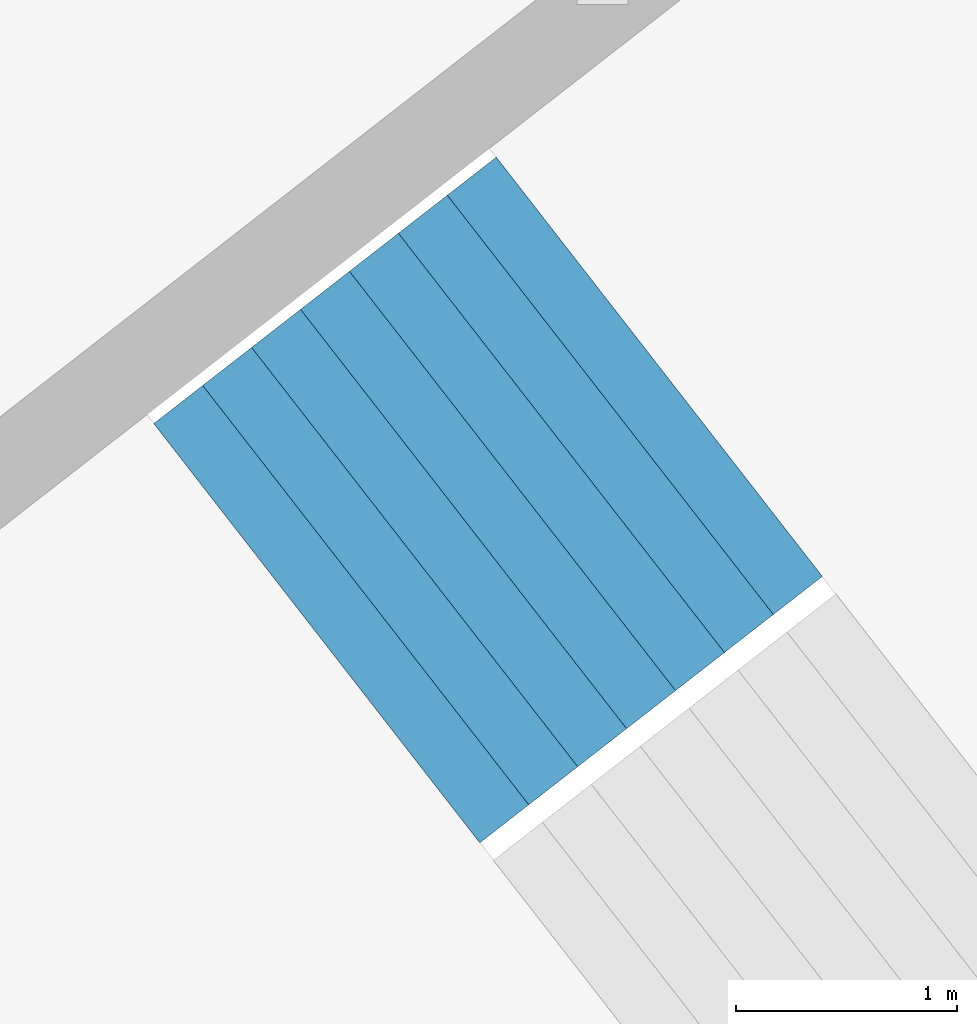
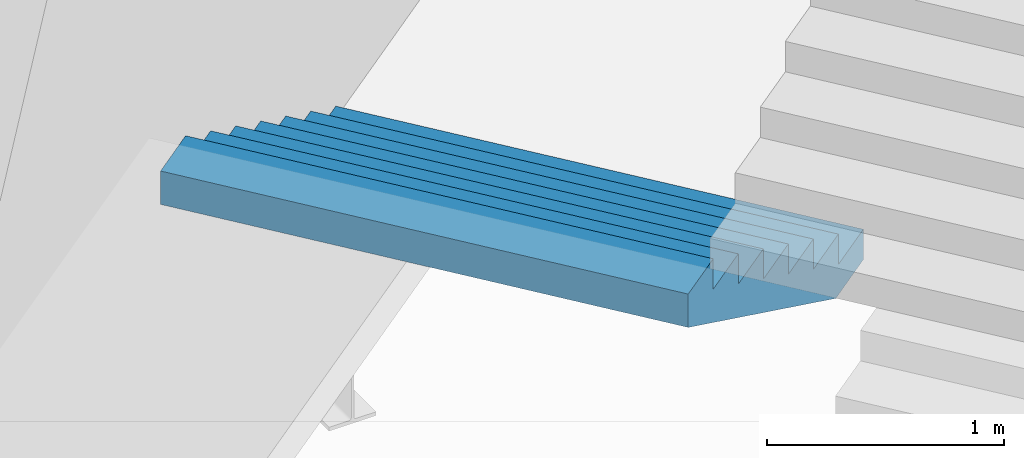
# One storey, part 63 of 73: 1 stair flight, 1 element without a shape of its own.
"""IFC4 building model written with IfcOpenShell, lengths in metres."""

from ifc_helpers import new_model, si_unit, direction, frame, origin, place, context, subcontext, project, spatial, triangles, material, type_object, element, aggregate, save


model = new_model("IFC4")

# Units and contexts
model_context = context("Model", 3, precision=1e-05, world=origin(), true_north=direction((0.0, 1.0)))
body_context = subcontext(model_context, "Body", "Model", "MODEL_VIEW")
ifc_project = project(units=[si_unit("LENGTHUNIT", "METRE"), si_unit("AREAUNIT", "SQUARE_METRE"), si_unit("VOLUMEUNIT", "CUBIC_METRE"), si_unit("PLANEANGLEUNIT", "RADIAN"), si_unit("MASSUNIT", "GRAM", prefix="KILO")], contexts=[model_context])

# Site, building, storey
site_placement = place(None, origin())
site = spatial("IfcSite", under=ifc_project, at=site_placement, CompositionType="ELEMENT")
building_placement = place(site_placement, origin())
building = spatial("IfcBuilding", under=site, at=building_placement, Name="Lantaw Convention Tower", CompositionType="ELEMENT")
storey_placement = place(building_placement, frame((0.0, 0.0, 22.0)))
storey = spatial("IfcBuildingStorey", under=building, at=storey_placement, Name="L03", CompositionType="ELEMENT", Elevation=22.0)

# Stair, stair flight
ifc_material = material(Name="Concrete C35/45", Category="concrete")
stair_type = type_object("IfcStairType", Name="Exit stair 2400 riser 156.25 in 4 flights", PredefinedType="HALF_TURN_STAIR", material=ifc_material)
stair_placement = place(storey_placement, origin())
stair = element("IfcStair", 1, at=stair_placement, inside=storey, type_object=stair_type, Name="Podium exit stair P3 L03", PredefinedType="HALF_TURN_STAIR")
stair_flight_type = type_object("IfcStairFlightType", Name="Stair flight 2400 riser 156.25", PredefinedType="STRAIGHT", material=ifc_material)
stair_flight_placement = place(storey_placement, frame((29.5068359375, 24.53125, 1.25), z_axis=(0.0, 0.0, 1.0), x_axis=(-0.789378829664, -0.613906396186, 0.0)))
stair_flight = element("IfcStairFlight", 2, at=stair_flight_placement, type_object=stair_flight_type, Name="P3 flight 2", NumberOfRisers=8, NumberOfTreads=7, PredefinedType="STRAIGHT", RiserHeight=0.15625, TreadLength=0.28, context=body_context, shape_type="Tessellation", body=[
    triangles([(0.0, 1.199951171875, 0.0), (0.0, 1.199951171875, 0.15625), (0.28, 1.199951171875, 0.0), (0.28, 1.199951171875, 0.15625), (0.28, 1.199951171875, 0.3125), (0.3076200632058044, 1.199951171875, 0.0), (0.3076200632058044, 1.199951171875, 0.3125), (0.56, 1.199951171875, 0.14083701830033238), (0.56, 1.199951171875, 0.3125), (0.56, 1.199951171875, 0.46875), (0.8400000000000001, 1.199951171875, 0.29708701830033235), (0.8400000000000001, 1.199951171875, 0.46875), (0.8400000000000001, 1.199951171875, 0.625), (1.12, 1.199951171875, 0.45333701830033235), (1.12, 1.199951171875, 0.625), (1.12, 1.199951171875, 0.78125), (1.4000000000000001, 1.199951171875, 0.6095870183003324), (1.4000000000000001, 1.199951171875, 0.78125), (1.4000000000000001, 1.199951171875, 0.9375), (1.6800000000000002, 1.199951171875, 0.7658370183003324), (1.6800000000000002, 1.199951171875, 0.9375), (1.6800000000000002, 1.199951171875, 1.09375), (1.9600000000000002, 1.199951171875, 0.9220870183003324), (1.9600000000000002, 1.199951171875, 1.09375), (0.0, -1.199951171875, 0.0), (0.0, -1.199951171875, 0.15625), (0.28, -1.199951171875, 0.0), (0.28, -1.199951171875, 0.15625), (0.28, -1.199951171875, 0.3125), (0.3076200632058044, -1.199951171875, 0.0), (0.3076200632058044, -1.199951171875, 0.3125), (0.56, -1.199951171875, 0.14083701830033238), (0.56, -1.199951171875, 0.3125), (0.56, -1.199951171875, 0.46875), (0.8400000000000001, -1.199951171875, 0.29708701830033235), (0.8400000000000001, -1.199951171875, 0.46875), (0.8400000000000001, -1.199951171875, 0.625), (1.12, -1.199951171875, 0.45333701830033235), (1.12, -1.199951171875, 0.625), (1.12, -1.199951171875, 0.78125), (1.4000000000000001, -1.199951171875, 0.6095870183003324), (1.4000000000000001, -1.199951171875, 0.78125), (1.4000000000000001, -1.199951171875, 0.9375), (1.6800000000000002, -1.199951171875, 0.7658370183003324), (1.6800000000000002, -1.199951171875, 0.9375), (1.6800000000000002, -1.199951171875, 1.09375), (1.9600000000000002, -1.199951171875, 0.9220870183003324), (1.9600000000000002, -1.199951171875, 1.09375), (0.0, 0.239990234375, 0.15625), (0.0, 0.239990234375, 0.0), (0.0, 0.1919921875, 0.15625), (0.0, 0.1919921875, 0.0), (0.0, 0.143994140625, 0.15625), (0.0, 0.143994140625, 0.0), (0.0, 0.09599609375, 0.15625), (0.0, 0.09599609375, 0.0), (0.0, 0.047998046875, 0.15625), (0.0, 0.047998046875, 0.0), (0.0, 0.0, 0.15625), (0.0, 0.0, 0.0), (0.0, -0.047998046875, 0.15625), (0.0, -0.047998046875, 0.0), (0.0, -0.09599609375, 0.15625), (0.0, -0.09599609375, 0.0), (0.0, -0.143994140625, 0.15625), (0.0, -0.143994140625, 0.0), (0.0, -0.1919921875, 0.15625), (0.0, -0.1919921875, 0.0), (0.0, -0.239990234375, 0.15625), (0.0, -0.239990234375, 0.0), (0.28, 0.239990234375, 0.3125), (0.28, 0.239990234375, 0.15625), (0.28, 0.1919921875, 0.3125), (0.28, 0.1919921875, 0.15625), (0.28, 0.143994140625, 0.3125), (0.28, 0.143994140625, 0.15625), (0.28, 0.09599609375, 0.3125), (0.28, 0.09599609375, 0.15625), (0.28, 0.047998046875, 0.3125), (0.28, 0.047998046875, 0.15625), (0.28, 0.0, 0.3125), (0.28, 0.0, 0.15625), (0.28, -0.047998046875, 0.3125), (0.28, -0.047998046875, 0.15625), (0.28, -0.09599609375, 0.3125), (0.28, -0.09599609375, 0.15625), (0.28, -0.143994140625, 0.3125), (0.28, -0.143994140625, 0.15625), (0.28, -0.1919921875, 0.3125), (0.28, -0.1919921875, 0.15625), (0.28, -0.239990234375, 0.3125), (0.28, -0.239990234375, 0.15625), (0.56, 0.239990234375, 0.46875), (0.56, 0.239990234375, 0.3125), (0.56, 0.1919921875, 0.46875), (0.56, 0.1919921875, 0.3125), (0.56, 0.143994140625, 0.46875), (0.56, 0.143994140625, 0.3125), (0.56, 0.09599609375, 0.46875), (0.56, 0.09599609375, 0.3125), (0.56, 0.047998046875, 0.46875), (0.56, 0.047998046875, 0.3125), (0.56, 0.0, 0.46875), (0.56, 0.0, 0.3125), (0.56, -0.047998046875, 0.46875), (0.56, -0.047998046875, 0.3125), (0.56, -0.09599609375, 0.46875), (0.56, -0.09599609375, 0.3125), (0.56, -0.143994140625, 0.46875), (0.56, -0.143994140625, 0.3125), (0.56, -0.1919921875, 0.46875), (0.56, -0.1919921875, 0.3125), (0.56, -0.239990234375, 0.46875), (0.56, -0.239990234375, 0.3125), (0.8400000000000001, 0.239990234375, 0.625), (0.8400000000000001, 0.239990234375, 0.46875), (0.8400000000000001, 0.1919921875, 0.625), (0.8400000000000001, 0.1919921875, 0.46875), (0.8400000000000001, 0.143994140625, 0.625), (0.8400000000000001, 0.143994140625, 0.46875), (0.8400000000000001, 0.09599609375, 0.625), (0.8400000000000001, 0.09599609375, 0.46875), (0.8400000000000001, 0.047998046875, 0.625), (0.8400000000000001, 0.047998046875, 0.46875), (0.8400000000000001, 0.0, 0.625), (0.8400000000000001, 0.0, 0.46875), (0.8400000000000001, -0.047998046875, 0.625), (0.8400000000000001, -0.047998046875, 0.46875), (0.8400000000000001, -0.09599609375, 0.625), (0.8400000000000001, -0.09599609375, 0.46875), (0.8400000000000001, -0.143994140625, 0.625), (0.8400000000000001, -0.143994140625, 0.46875), (0.8400000000000001, -0.1919921875, 0.625), (0.8400000000000001, -0.1919921875, 0.46875), (0.8400000000000001, -0.239990234375, 0.625), (0.8400000000000001, -0.239990234375, 0.46875), (1.12, 0.239990234375, 0.78125), (1.12, 0.239990234375, 0.625), (1.12, 0.1919921875, 0.78125), (1.12, 0.1919921875, 0.625), (1.12, 0.143994140625, 0.78125), (1.12, 0.143994140625, 0.625), (1.12, 0.09599609375, 0.78125), (1.12, 0.09599609375, 0.625), (1.12, 0.047998046875, 0.78125), (1.12, 0.047998046875, 0.625), (1.12, 0.0, 0.78125), (1.12, 0.0, 0.625), (1.12, -0.047998046875, 0.78125), (1.12, -0.047998046875, 0.625), (1.12, -0.09599609375, 0.78125), (1.12, -0.09599609375, 0.625), (1.12, -0.143994140625, 0.78125), (1.12, -0.143994140625, 0.625), (1.12, -0.1919921875, 0.78125), (1.12, -0.1919921875, 0.625), (1.12, -0.239990234375, 0.78125), (1.12, -0.239990234375, 0.625), (1.4000000000000001, 0.239990234375, 0.9375), (1.4000000000000001, 0.239990234375, 0.78125), (1.4000000000000001, 0.1919921875, 0.9375), (1.4000000000000001, 0.1919921875, 0.78125), (1.4000000000000001, 0.143994140625, 0.9375), (1.4000000000000001, 0.143994140625, 0.78125), (1.4000000000000001, 0.09599609375, 0.9375), (1.4000000000000001, 0.09599609375, 0.78125), (1.4000000000000001, 0.047998046875, 0.9375), (1.4000000000000001, 0.047998046875, 0.78125), (1.4000000000000001, 0.0, 0.9375), (1.4000000000000001, 0.0, 0.78125), (1.4000000000000001, -0.047998046875, 0.9375), (1.4000000000000001, -0.047998046875, 0.78125), (1.4000000000000001, -0.09599609375, 0.9375), (1.4000000000000001, -0.09599609375, 0.78125), (1.4000000000000001, -0.143994140625, 0.9375), (1.4000000000000001, -0.143994140625, 0.78125), (1.4000000000000001, -0.1919921875, 0.9375), (1.4000000000000001, -0.1919921875, 0.78125), (1.4000000000000001, -0.239990234375, 0.9375), (1.4000000000000001, -0.239990234375, 0.78125), (1.6800000000000002, 0.239990234375, 1.09375), (1.6800000000000002, 0.239990234375, 0.9375), (1.6800000000000002, 0.1919921875, 1.09375), (1.6800000000000002, 0.1919921875, 0.9375), (1.6800000000000002, 0.143994140625, 1.09375), (1.6800000000000002, 0.143994140625, 0.9375), (1.6800000000000002, 0.09599609375, 1.09375), (1.6800000000000002, 0.09599609375, 0.9375), (1.6800000000000002, 0.047998046875, 1.09375), (1.6800000000000002, 0.047998046875, 0.9375), (1.6800000000000002, 0.0, 1.09375), (1.6800000000000002, 0.0, 0.9375), (1.6800000000000002, -0.047998046875, 1.09375), (1.6800000000000002, -0.047998046875, 0.9375), (1.6800000000000002, -0.09599609375, 1.09375), (1.6800000000000002, -0.09599609375, 0.9375), (1.6800000000000002, -0.143994140625, 1.09375), (1.6800000000000002, -0.143994140625, 0.9375), (1.6800000000000002, -0.1919921875, 1.09375), (1.6800000000000002, -0.1919921875, 0.9375), (1.6800000000000002, -0.239990234375, 1.09375), (1.6800000000000002, -0.239990234375, 0.9375), (0.3076200632058044, 0.239990234375, 0.3125), (0.3076200632058044, 0.1919921875, 0.3125), (0.3076200632058044, 0.143994140625, 0.3125), (0.3076200632058044, 0.09599609375, 0.3125), (0.3076200632058044, 0.047998046875, 0.3125), (0.3076200632058044, 0.0, 0.3125), (0.3076200632058044, -0.047998046875, 0.3125), (0.3076200632058044, -0.09599609375, 0.3125), (0.3076200632058044, -0.143994140625, 0.3125), (0.3076200632058044, -0.1919921875, 0.3125), (0.3076200632058044, -0.239990234375, 0.3125), (1.9600000000000002, 0.239990234375, 1.09375), (1.9600000000000002, 0.1919921875, 1.09375), (1.9600000000000002, 0.143994140625, 1.09375), (1.9600000000000002, 0.09599609375, 1.09375), (1.9600000000000002, 0.047998046875, 1.09375), (1.9600000000000002, 0.0, 1.09375), (1.9600000000000002, -0.047998046875, 1.09375), (1.9600000000000002, -0.09599609375, 1.09375), (1.9600000000000002, -0.143994140625, 1.09375), (1.9600000000000002, -0.1919921875, 1.09375), (1.9600000000000002, -0.239990234375, 1.09375), (1.9600000000000002, 0.239990234375, 0.9220870183003324), (1.9600000000000002, 0.1919921875, 0.9220870183003324), (1.9600000000000002, 0.143994140625, 0.9220870183003324), (1.9600000000000002, 0.09599609375, 0.9220870183003324), (1.9600000000000002, 0.047998046875, 0.9220870183003324), (1.9600000000000002, 0.0, 0.9220870183003324), (1.9600000000000002, -0.047998046875, 0.9220870183003324), (1.9600000000000002, -0.09599609375, 0.9220870183003324), (1.9600000000000002, -0.143994140625, 0.9220870183003324), (1.9600000000000002, -0.1919921875, 0.9220870183003324), (1.9600000000000002, -0.239990234375, 0.9220870183003324), (1.6800000000000002, 0.239990234375, 0.7658370183003324), (1.6800000000000002, 0.1919921875, 0.7658370183003324), (1.6800000000000002, 0.143994140625, 0.7658370183003324), (1.6800000000000002, 0.09599609375, 0.7658370183003324), (1.6800000000000002, 0.047998046875, 0.7658370183003324), (1.6800000000000002, 0.0, 0.7658370183003324), (1.6800000000000002, -0.047998046875, 0.7658370183003324), (1.6800000000000002, -0.09599609375, 0.7658370183003324), (1.6800000000000002, -0.143994140625, 0.7658370183003324), (1.6800000000000002, -0.1919921875, 0.7658370183003324), (1.6800000000000002, -0.239990234375, 0.7658370183003324), (1.4000000000000001, 0.239990234375, 0.6095870183003324), (1.4000000000000001, 0.1919921875, 0.6095870183003324), (1.4000000000000001, 0.143994140625, 0.6095870183003324), (1.4000000000000001, 0.09599609375, 0.6095870183003324), (1.4000000000000001, 0.047998046875, 0.6095870183003324), (1.4000000000000001, 0.0, 0.6095870183003324), (1.4000000000000001, -0.047998046875, 0.6095870183003324), (1.4000000000000001, -0.09599609375, 0.6095870183003324), (1.4000000000000001, -0.143994140625, 0.6095870183003324), (1.4000000000000001, -0.1919921875, 0.6095870183003324), (1.4000000000000001, -0.239990234375, 0.6095870183003324), (1.12, 0.239990234375, 0.45333701830033235), (1.12, 0.1919921875, 0.45333701830033235), (1.12, 0.143994140625, 0.45333701830033235), (1.12, 0.09599609375, 0.45333701830033235), (1.12, 0.047998046875, 0.45333701830033235), (1.12, 0.0, 0.45333701830033235), (1.12, -0.047998046875, 0.45333701830033235), (1.12, -0.09599609375, 0.45333701830033235), (1.12, -0.143994140625, 0.45333701830033235), (1.12, -0.1919921875, 0.45333701830033235), (1.12, -0.239990234375, 0.45333701830033235), (0.8400000000000001, 0.239990234375, 0.29708701830033235), (0.8400000000000001, 0.1919921875, 0.29708701830033235), (0.8400000000000001, 0.143994140625, 0.29708701830033235), (0.8400000000000001, 0.09599609375, 0.29708701830033235), (0.8400000000000001, 0.047998046875, 0.29708701830033235), (0.8400000000000001, 0.0, 0.29708701830033235), (0.8400000000000001, -0.047998046875, 0.29708701830033235), (0.8400000000000001, -0.09599609375, 0.29708701830033235), (0.8400000000000001, -0.143994140625, 0.29708701830033235), (0.8400000000000001, -0.1919921875, 0.29708701830033235), (0.8400000000000001, -0.239990234375, 0.29708701830033235), (0.56, 0.239990234375, 0.14083701830033238), (0.56, 0.1919921875, 0.14083701830033238), (0.56, 0.143994140625, 0.14083701830033238), (0.56, 0.09599609375, 0.14083701830033238), (0.56, 0.047998046875, 0.14083701830033238), (0.56, 0.0, 0.14083701830033238), (0.56, -0.047998046875, 0.14083701830033238), (0.56, -0.09599609375, 0.14083701830033238), (0.56, -0.143994140625, 0.14083701830033238), (0.56, -0.1919921875, 0.14083701830033238), (0.56, -0.239990234375, 0.14083701830033238), (0.3076200632058044, 0.239990234375, 0.0), (0.3076200632058044, 0.1919921875, 0.0), (0.3076200632058044, 0.143994140625, 0.0), (0.3076200632058044, 0.09599609375, 0.0), (0.3076200632058044, 0.047998046875, 0.0), (0.3076200632058044, 0.0, 0.0), (0.3076200632058044, -0.047998046875, 0.0), (0.3076200632058044, -0.09599609375, 0.0), (0.3076200632058044, -0.143994140625, 0.0), (0.3076200632058044, -0.1919921875, 0.0), (0.3076200632058044, -0.239990234375, 0.0), (0.28, 0.239990234375, 0.0), (0.28, 0.1919921875, 0.0), (0.28, 0.143994140625, 0.0), (0.28, 0.09599609375, 0.0), (0.28, 0.047998046875, 0.0), (0.28, 0.0, 0.0), (0.28, -0.047998046875, 0.0), (0.28, -0.09599609375, 0.0), (0.28, -0.143994140625, 0.0), (0.28, -0.1919921875, 0.0), (0.28, -0.239990234375, 0.0)], [[1, 4, 3], [1, 2, 4], [3, 4, 6], [4, 7, 6], [4, 5, 7], [6, 9, 8], [6, 7, 9], [8, 9, 11], [9, 12, 11], [9, 10, 12], [11, 12, 14], [12, 15, 14], [12, 13, 15], [14, 15, 17], [15, 18, 17], [15, 16, 18], [17, 18, 20], [18, 21, 20], [18, 19, 21], [20, 21, 23], [21, 24, 23], [21, 22, 24], [25, 27, 28], [25, 28, 26], [27, 30, 28], [28, 30, 31], [28, 31, 29], [30, 32, 33], [30, 33, 31], [32, 35, 33], [33, 35, 36], [33, 36, 34], [35, 38, 36], [36, 38, 39], [36, 39, 37], [38, 41, 39], [39, 41, 42], [39, 42, 40], [41, 44, 42], [42, 44, 45], [42, 45, 43], [44, 47, 45], [45, 47, 48], [45, 48, 46], [1, 49, 2], [1, 50, 49], [50, 51, 49], [50, 52, 51], [52, 53, 51], [52, 54, 53], [54, 55, 53], [54, 56, 55], [56, 57, 55], [56, 58, 57], [58, 59, 57], [58, 60, 59], [60, 61, 59], [60, 62, 61], [62, 63, 61], [62, 64, 63], [64, 65, 63], [64, 66, 65], [66, 67, 65], [66, 68, 67], [68, 69, 67], [68, 70, 69], [70, 26, 69], [70, 25, 26], [4, 71, 5], [4, 72, 71], [72, 73, 71], [72, 74, 73], [74, 75, 73], [74, 76, 75], [76, 77, 75], [76, 78, 77], [78, 79, 77], [78, 80, 79], [80, 81, 79], [80, 82, 81], [82, 83, 81], [82, 84, 83], [84, 85, 83], [84, 86, 85], [86, 87, 85], [86, 88, 87], [88, 89, 87], [88, 90, 89], [90, 91, 89], [90, 92, 91], [92, 29, 91], [92, 28, 29], [9, 93, 10], [9, 94, 93], [94, 95, 93], [94, 96, 95], [96, 97, 95], [96, 98, 97], [98, 99, 97], [98, 100, 99], [100, 101, 99], [100, 102, 101], [102, 103, 101], [102, 104, 103], [104, 105, 103], [104, 106, 105], [106, 107, 105], [106, 108, 107], [108, 109, 107], [108, 110, 109], [110, 111, 109], [110, 112, 111], [112, 113, 111], [112, 114, 113], [114, 34, 113], [114, 33, 34], [12, 115, 13], [12, 116, 115], [116, 117, 115], [116, 118, 117], [118, 119, 117], [118, 120, 119], [120, 121, 119], [120, 122, 121], [122, 123, 121], [122, 124, 123], [124, 125, 123], [124, 126, 125], [126, 127, 125], [126, 128, 127], [128, 129, 127], [128, 130, 129], [130, 131, 129], [130, 132, 131], [132, 133, 131], [132, 134, 133], [134, 135, 133], [134, 136, 135], [136, 37, 135], [136, 36, 37], [15, 137, 16], [15, 138, 137], [138, 139, 137], [138, 140, 139], [140, 141, 139], [140, 142, 141], [142, 143, 141], [142, 144, 143], [144, 145, 143], [144, 146, 145], [146, 147, 145], [146, 148, 147], [148, 149, 147], [148, 150, 149], [150, 151, 149], [150, 152, 151], [152, 153, 151], [152, 154, 153], [154, 155, 153], [154, 156, 155], [156, 157, 155], [156, 158, 157], [158, 40, 157], [158, 39, 40], [18, 159, 19], [18, 160, 159], [160, 161, 159], [160, 162, 161], [162, 163, 161], [162, 164, 163], [164, 165, 163], [164, 166, 165], [166, 167, 165], [166, 168, 167], [168, 169, 167], [168, 170, 169], [170, 171, 169], [170, 172, 171], [172, 173, 171], [172, 174, 173], [174, 175, 173], [174, 176, 175], [176, 177, 175], [176, 178, 177], [178, 179, 177], [178, 180, 179], [180, 43, 179], [180, 42, 43], [21, 181, 22], [21, 182, 181], [182, 183, 181], [182, 184, 183], [184, 185, 183], [184, 186, 185], [186, 187, 185], [186, 188, 187], [188, 189, 187], [188, 190, 189], [190, 191, 189], [190, 192, 191], [192, 193, 191], [192, 194, 193], [194, 195, 193], [194, 196, 195], [196, 197, 195], [196, 198, 197], [198, 199, 197], [198, 200, 199], [200, 201, 199], [200, 202, 201], [202, 46, 201], [202, 45, 46], [2, 72, 4], [2, 49, 72], [49, 74, 72], [49, 51, 74], [51, 76, 74], [51, 53, 76], [53, 78, 76], [53, 55, 78], [55, 80, 78], [55, 57, 80], [57, 82, 80], [57, 59, 82], [59, 84, 82], [59, 61, 84], [61, 86, 84], [61, 63, 86], [63, 88, 86], [63, 65, 88], [65, 90, 88], [65, 67, 90], [67, 92, 90], [67, 69, 92], [69, 28, 92], [69, 26, 28], [5, 203, 7], [5, 71, 203], [71, 204, 203], [71, 73, 204], [73, 205, 204], [73, 75, 205], [75, 206, 205], [75, 77, 206], [77, 207, 206], [77, 79, 207], [79, 208, 207], [79, 81, 208], [81, 209, 208], [81, 83, 209], [83, 210, 209], [83, 85, 210], [85, 211, 210], [85, 87, 211], [87, 212, 211], [87, 89, 212], [89, 213, 212], [89, 91, 213], [91, 31, 213], [91, 29, 31], [7, 94, 9], [7, 203, 94], [203, 96, 94], [203, 204, 96], [204, 98, 96], [204, 205, 98], [205, 100, 98], [205, 206, 100], [206, 102, 100], [206, 207, 102], [207, 104, 102], [207, 208, 104], [208, 106, 104], [208, 209, 106], [209, 108, 106], [209, 210, 108], [210, 110, 108], [210, 211, 110], [211, 112, 110], [211, 212, 112], [212, 114, 112], [212, 213, 114], [213, 33, 114], [213, 31, 33], [10, 116, 12], [10, 93, 116], [93, 118, 116], [93, 95, 118], [95, 120, 118], [95, 97, 120], [97, 122, 120], [97, 99, 122], [99, 124, 122], [99, 101, 124], [101, 126, 124], [101, 103, 126], [103, 128, 126], [103, 105, 128], [105, 130, 128], [105, 107, 130], [107, 132, 130], [107, 109, 132], [109, 134, 132], [109, 111, 134], [111, 136, 134], [111, 113, 136], [113, 36, 136], [113, 34, 36], [13, 138, 15], [13, 115, 138], [115, 140, 138], [115, 117, 140], [117, 142, 140], [117, 119, 142], [119, 144, 142], [119, 121, 144], [121, 146, 144], [121, 123, 146], [123, 148, 146], [123, 125, 148], [125, 150, 148], [125, 127, 150], [127, 152, 150], [127, 129, 152], [129, 154, 152], [129, 131, 154], [131, 156, 154], [131, 133, 156], [133, 158, 156], [133, 135, 158], [135, 39, 158], [135, 37, 39], [16, 160, 18], [16, 137, 160], [137, 162, 160], [137, 139, 162], [139, 164, 162], [139, 141, 164], [141, 166, 164], [141, 143, 166], [143, 168, 166], [143, 145, 168], [145, 170, 168], [145, 147, 170], [147, 172, 170], [147, 149, 172], [149, 174, 172], [149, 151, 174], [151, 176, 174], [151, 153, 176], [153, 178, 176], [153, 155, 178], [155, 180, 178], [155, 157, 180], [157, 42, 180], [157, 40, 42], [19, 182, 21], [19, 159, 182], [159, 184, 182], [159, 161, 184], [161, 186, 184], [161, 163, 186], [163, 188, 186], [163, 165, 188], [165, 190, 188], [165, 167, 190], [167, 192, 190], [167, 169, 192], [169, 194, 192], [169, 171, 194], [171, 196, 194], [171, 173, 196], [173, 198, 196], [173, 175, 198], [175, 200, 198], [175, 177, 200], [177, 202, 200], [177, 179, 202], [179, 45, 202], [179, 43, 45], [22, 214, 24], [22, 181, 214], [181, 215, 214], [181, 183, 215], [183, 216, 215], [183, 185, 216], [185, 217, 216], [185, 187, 217], [187, 218, 217], [187, 189, 218], [189, 219, 218], [189, 191, 219], [191, 220, 219], [191, 193, 220], [193, 221, 220], [193, 195, 221], [195, 222, 221], [195, 197, 222], [197, 223, 222], [197, 199, 223], [199, 224, 223], [199, 201, 224], [201, 48, 224], [201, 46, 48], [24, 225, 23], [24, 214, 225], [214, 226, 225], [214, 215, 226], [215, 227, 226], [215, 216, 227], [216, 228, 227], [216, 217, 228], [217, 229, 228], [217, 218, 229], [218, 230, 229], [218, 219, 230], [219, 231, 230], [219, 220, 231], [220, 232, 231], [220, 221, 232], [221, 233, 232], [221, 222, 233], [222, 234, 233], [222, 223, 234], [223, 235, 234], [223, 224, 235], [224, 47, 235], [224, 48, 47], [23, 236, 20], [23, 225, 236], [225, 237, 236], [225, 226, 237], [226, 238, 237], [226, 227, 238], [227, 239, 238], [227, 228, 239], [228, 240, 239], [228, 229, 240], [229, 241, 240], [229, 230, 241], [230, 242, 241], [230, 231, 242], [231, 243, 242], [231, 232, 243], [232, 244, 243], [232, 233, 244], [233, 245, 244], [233, 234, 245], [234, 246, 245], [234, 235, 246], [235, 44, 246], [235, 47, 44], [20, 247, 17], [20, 236, 247], [236, 248, 247], [236, 237, 248], [237, 249, 248], [237, 238, 249], [238, 250, 249], [238, 239, 250], [239, 251, 250], [239, 240, 251], [240, 252, 251], [240, 241, 252], [241, 253, 252], [241, 242, 253], [242, 254, 253], [242, 243, 254], [243, 255, 254], [243, 244, 255], [244, 256, 255], [244, 245, 256], [245, 257, 256], [245, 246, 257], [246, 41, 257], [246, 44, 41], [17, 258, 14], [17, 247, 258], [247, 259, 258], [247, 248, 259], [248, 260, 259], [248, 249, 260], [249, 261, 260], [249, 250, 261], [250, 262, 261], [250, 251, 262], [251, 263, 262], [251, 252, 263], [252, 264, 263], [252, 253, 264], [253, 265, 264], [253, 254, 265], [254, 266, 265], [254, 255, 266], [255, 267, 266], [255, 256, 267], [256, 268, 267], [256, 257, 268], [257, 38, 268], [257, 41, 38], [14, 269, 11], [14, 258, 269], [258, 270, 269], [258, 259, 270], [259, 271, 270], [259, 260, 271], [260, 272, 271], [260, 261, 272], [261, 273, 272], [261, 262, 273], [262, 274, 273], [262, 263, 274], [263, 275, 274], [263, 264, 275], [264, 276, 275], [264, 265, 276], [265, 277, 276], [265, 266, 277], [266, 278, 277], [266, 267, 278], [267, 279, 278], [267, 268, 279], [268, 35, 279], [268, 38, 35], [11, 280, 8], [11, 269, 280], [269, 281, 280], [269, 270, 281], [270, 282, 281], [270, 271, 282], [271, 283, 282], [271, 272, 283], [272, 284, 283], [272, 273, 284], [273, 285, 284], [273, 274, 285], [274, 286, 285], [274, 275, 286], [275, 287, 286], [275, 276, 287], [276, 288, 287], [276, 277, 288], [277, 289, 288], [277, 278, 289], [278, 290, 289], [278, 279, 290], [279, 32, 290], [279, 35, 32], [8, 291, 6], [8, 280, 291], [280, 292, 291], [280, 281, 292], [281, 293, 292], [281, 282, 293], [282, 294, 293], [282, 283, 294], [283, 295, 294], [283, 284, 295], [284, 296, 295], [284, 285, 296], [285, 297, 296], [285, 286, 297], [286, 298, 297], [286, 287, 298], [287, 299, 298], [287, 288, 299], [288, 300, 299], [288, 289, 300], [289, 301, 300], [289, 290, 301], [290, 30, 301], [290, 32, 30], [6, 302, 3], [6, 291, 302], [291, 303, 302], [291, 292, 303], [292, 304, 303], [292, 293, 304], [293, 305, 304], [293, 294, 305], [294, 306, 305], [294, 295, 306], [295, 307, 306], [295, 296, 307], [296, 308, 307], [296, 297, 308], [297, 309, 308], [297, 298, 309], [298, 310, 309], [298, 299, 310], [299, 311, 310], [299, 300, 311], [300, 312, 311], [300, 301, 312], [301, 27, 312], [301, 30, 27], [3, 50, 1], [3, 302, 50], [302, 52, 50], [302, 303, 52], [303, 54, 52], [303, 304, 54], [304, 56, 54], [304, 305, 56], [305, 58, 56], [305, 306, 58], [306, 60, 58], [306, 307, 60], [307, 62, 60], [307, 308, 62], [308, 64, 62], [308, 309, 64], [309, 66, 64], [309, 310, 66], [310, 68, 66], [310, 311, 68], [311, 70, 68], [311, 312, 70], [312, 25, 70], [312, 27, 25]], closed=True),
])
aggregate(stair, [stair_flight])

save(model, "model.ifc")
